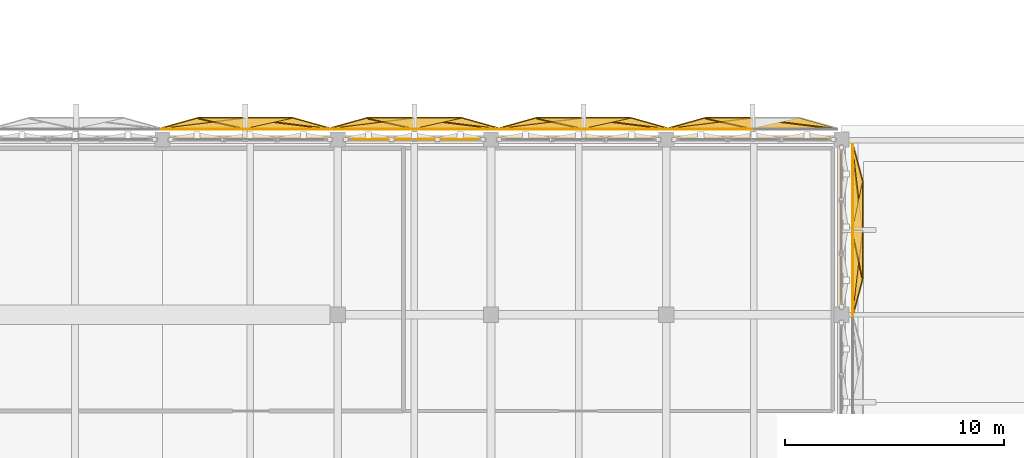
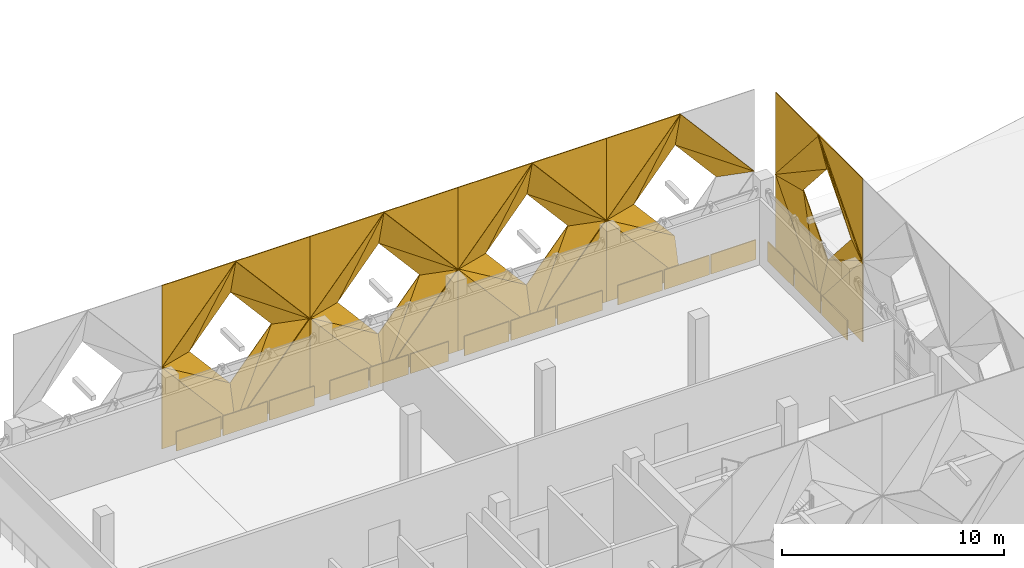
# One storey, part 33 of 37: 71 coverings.
"""IFC4 building model written with IfcOpenShell, lengths in metres."""

from ifc_helpers import new_model, si_unit, direction, frame, origin, origin_2d, place, context, subcontext, project, spatial, polyline, rectangle, outline, extrude, material, layer, layer_set, type_object, element, save


model = new_model("IFC4")

# Units and contexts
model_context = context("Model", 3, precision=1e-05, world=origin(), true_north=direction((0.0, 1.0)))
body_context = subcontext(model_context, "Body", "Model", "MODEL_VIEW")
ifc_project = project(units=[si_unit("LENGTHUNIT", "METRE"), si_unit("AREAUNIT", "SQUARE_METRE"), si_unit("VOLUMEUNIT", "CUBIC_METRE"), si_unit("PLANEANGLEUNIT", "RADIAN"), si_unit("MASSUNIT", "GRAM", prefix="KILO")], contexts=[model_context])

# Site, building, storey
site_placement = place(None, origin())
site = spatial("IfcSite", under=ifc_project, at=site_placement, CompositionType="ELEMENT")
building_placement = place(site_placement, origin())
building = spatial("IfcBuilding", under=site, at=building_placement, Name="Qorikala Patio Media Centre", CompositionType="ELEMENT")
storey_placement = place(building_placement, frame((0.0, 0.0, 14.39990234375)))
storey = spatial("IfcBuildingStorey", under=building, at=storey_placement, Name="L03", CompositionType="ELEMENT", Elevation=14.39990234375)

# Coverings
ifc_material = material(Name="Golden Bronze Anodised Aluminium Panel", Category="aluminium")
ifc_layer = layer(ifc_material, 0.044921875)
ifc_layer_set = layer_set([ifc_layer], Name="Golden Bronze Anodised Aluminium Panel")
covering_type = type_object("IfcCoveringType", Name="COV-CLAD-GOLD", PredefinedType="CLADDING", material=ifc_layer_set)
for number, where, z_axis, x_axis, name in (
    (1, (98.0, 25.4267578125, 0.0), (0.0, 0.0, 1.0), (0.0, -1.0, 0.0), "L03 Golden Diamond Fold Spandrel 073"),
    (2, (98.0, 23.0, 0.0), (0.0, 0.0, 1.0), (0.0, -1.0, 0.0), "L03 Golden Diamond Fold Spandrel 074"),
    (3, (98.0, 20.5732421875, 0.0), (0.0, 0.0, 1.0), (0.0, -1.0, 0.0), "L03 Golden Diamond Fold Spandrel 075"),
    (4, (68.5732421875, 27.0, 0.0), (0.0, 0.0, 1.0), (1.0, 0.0, 0.0), "L03 Golden Diamond Fold Spandrel 103"),
    (5, (71.0, 27.0, 0.0), (0.0, 0.0, 1.0), (1.0, 0.0, 0.0), "L03 Golden Diamond Fold Spandrel 104"),
    (6, (73.4267578125, 27.0, 0.0), (0.0, 0.0, 1.0), (1.0, 0.0, 0.0), "L03 Golden Diamond Fold Spandrel 105"),
):
    element("IfcCovering", number, at=place(storey_placement, frame(where, z_axis=z_axis, x_axis=x_axis)), inside=storey, type_object=covering_type, Name=name, PredefinedType="CLADDING", context=body_context, shape_type="SweptSolid", body=[
        extrude(rectangle(XDim=2.32666015625, YDim=0.044921875, at=origin_2d()), origin(), (0.0, 0.0, 1.0), 1.077880859375),
    ])
for number, where, z_axis, x_axis, name in (
    (7, (76.40673828125, 27.0, 0.0), (0.0, 0.0, 1.0), (1.0, 0.0, 0.0), "L03 Golden Diamond Fold Spandrel 106"),
    (8, (78.5, 27.0, 0.0), (0.0, 0.0, 1.0), (1.0, 0.0, 0.0), "L03 Golden Diamond Fold Spandrel 107"),
    (9, (80.59326171875, 27.0, 0.0), (0.0, 0.0, 1.0), (1.0, 0.0, 0.0), "L03 Golden Diamond Fold Spandrel 108"),
):
    element("IfcCovering", number, at=place(storey_placement, frame(where, z_axis=z_axis, x_axis=x_axis)), inside=storey, type_object=covering_type, Name=name, PredefinedType="CLADDING", context=body_context, shape_type="SweptSolid", body=[
        extrude(rectangle(XDim=1.993408203125, YDim=0.044921875, at=origin_2d()), origin(), (0.0, 0.0, 1.0), 1.077880859375),
    ])
for number, where, z_axis, x_axis, name in (
    (10, (83.5732421875, 27.0, 0.0), (0.0, 0.0, 1.0), (1.0, 0.0, 0.0), "L03 Golden Diamond Fold Spandrel 109"),
    (11, (86.0, 27.0, 0.0), (0.0, 0.0, 1.0), (1.0, 0.0, 0.0), "L03 Golden Diamond Fold Spandrel 110"),
    (12, (88.4267578125, 27.0, 0.0), (0.0, 0.0, 1.0), (1.0, 0.0, 0.0), "L03 Golden Diamond Fold Spandrel 111"),
    (13, (91.5732421875, 27.0, 0.0), (0.0, 0.0, 1.0), (1.0, 0.0, 0.0), "L03 Golden Diamond Fold Spandrel 112"),
    (14, (94.0, 27.0, 0.0), (0.0, 0.0, 1.0), (1.0, 0.0, 0.0), "L03 Golden Diamond Fold Spandrel 113"),
    (15, (96.4267578125, 27.0, 0.0), (0.0, 0.0, 1.0), (1.0, 0.0, 0.0), "L03 Golden Diamond Fold Spandrel 114"),
):
    element("IfcCovering", number, at=place(storey_placement, frame(where, z_axis=z_axis, x_axis=x_axis)), inside=storey, type_object=covering_type, Name=name, PredefinedType="CLADDING", context=body_context, shape_type="SweptSolid", body=[
        extrude(rectangle(XDim=2.32666015625, YDim=0.044921875, at=origin_2d()), origin(), (0.0, 0.0, 1.0), 1.077880859375),
    ])
covering_1_placement = place(storey_placement, frame((70.780029296875, 27.5, 9.0), z_axis=(-0.262462378719, 0.93830974756, 0.225140661346), x_axis=(-0.651079578851, 0.0, -0.759009474251)))
element("IfcCovering", 16, at=covering_1_placement, inside=storey, type_object=covering_type, Name="Golden Folded Diamond Facet N-2.2.TLA", PredefinedType="CLADDING", context=body_context, shape_type="SweptSolid", body=[
    extrude(outline(polyline([(0.0, 0.0), (5.928779748684755, 0.0), (4.822929985484664, -1.373924994689336), (0.0, 0.0)])), origin(), (0.0, 0.0, -1.0), 0.044921875),
])
covering_2_placement = place(storey_placement, frame((70.780029296875, 27.5, 9.0), z_axis=(-0.262476283203, 0.938304391158, 0.225146774993), x_axis=(-0.431047420192, 0.094738906674, -0.897341997851)))
element("IfcCovering", 17, at=covering_2_placement, inside=storey, type_object=covering_type, Name="Golden Folded Diamond Facet N-2.2.TLB", PredefinedType="CLADDING", context=body_context, shape_type="SweptSolid", body=[
    extrude(outline(polyline([(0.0, 0.0), (5.014810418741589, 0.0), (1.8217298620516404, -0.9095827336284614), (0.0, 0.0)])), origin(), (0.0, 0.0, -1.0), 0.044921875),
])
covering_3_placement = place(storey_placement, frame((74.639892578125, 27.5, 4.5), z_axis=(0.26248543046, 0.938301971613, 0.225146194422), x_axis=(-0.651055854923, 0.0, 0.759029824032)))
element("IfcCovering", 18, at=covering_3_placement, inside=storey, type_object=covering_type, Name="Golden Folded Diamond Facet N-2.2.TRA", PredefinedType="CLADDING", context=body_context, shape_type="SweptSolid", body=[
    extrude(outline(polyline([(0.0, 0.0), (5.928620796605397, 0.0), (4.425756569823238, -1.3738411682083829), (0.0, 0.0)])), origin(), (0.0, 0.0, -1.0), 0.044921875),
])
covering_4_placement = place(storey_placement, frame((74.639892578125, 27.5, 4.5), z_axis=(0.262495941529, 0.938294845466, 0.225163637502), x_axis=(-0.832928561936, 0.102522389723, 0.543800671493)))
element("IfcCovering", 19, at=covering_4_placement, inside=storey, type_object=covering_type, Name="Golden Folded Diamond Facet N-2.2.TRB", PredefinedType="CLADDING", context=body_context, shape_type="SweptSolid", body=[
    extrude(outline(polyline([(0.0, 0.0), (4.634086832462004, -4.440892098500626e-16), (1.463222570124503, -0.9842377866436913), (0.0, 0.0)])), origin(), (0.0, 0.0, -1.0), 0.044921875),
])
covering_5_placement = place(storey_placement, frame((70.780029296875, 27.5, 0.0), z_axis=(-0.262496439609, -0.938296625859, 0.22515563749), x_axis=(0.651055854923, 0.0, 0.759029824032)))
element("IfcCovering", 20, at=covering_5_placement, inside=storey, type_object=covering_type, Name="Golden Folded Diamond Facet N-2.2.BRA", PredefinedType="CLADDING", context=body_context, shape_type="SweptSolid", body=[
    extrude(outline(polyline([(0.0, 0.0), (5.928620796605397, 0.0), (4.822970277355765, 1.3737835490578736), (0.0, 0.0)])), origin(), (0.0, 0.0, -1.0), 0.044921875),
])
covering_6_placement = place(storey_placement, frame((70.780029296875, 27.5, 0.0), z_axis=(-0.262476283203, -0.938304391158, 0.225146774993), x_axis=(0.431047420192, 0.094738906674, 0.897341997851)))
element("IfcCovering", 21, at=covering_6_placement, inside=storey, type_object=covering_type, Name="Golden Folded Diamond Facet N-2.2.BRB", PredefinedType="CLADDING", context=body_context, shape_type="SweptSolid", body=[
    extrude(outline(polyline([(0.0, 0.0), (5.014810418741589, 0.0), (1.8217298620516404, 0.9095827336284614), (0.0, 0.0)])), origin(), (0.0, 0.0, -1.0), 0.044921875),
])
covering_7_placement = place(storey_placement, frame((66.919921875, 27.5, 4.5), z_axis=(0.262469972732, -0.93830606029, 0.225147175502), x_axis=(0.651079578851, 0.0, -0.759009474251)))
element("IfcCovering", 22, at=covering_7_placement, inside=storey, type_object=covering_type, Name="Golden Folded Diamond Facet N-2.2.BLA", PredefinedType="CLADDING", context=body_context, shape_type="SweptSolid", body=[
    extrude(outline(polyline([(0.0, 0.0), (5.928779748684755, 4.440892098500626e-16), (4.4259558140712985, 1.3738852430820574), (0.0, 0.0)])), origin(), (0.0, 0.0, -1.0), 0.044921875),
])
covering_8_placement = place(storey_placement, frame((66.919921875, 27.5, 4.5), z_axis=(0.262462722231, -0.938310975623, 0.225135142669), x_axis=(0.83294469419, 0.102517891019, -0.5437768094)))
element("IfcCovering", 23, at=covering_8_placement, inside=storey, type_object=covering_type, Name="Golden Folded Diamond Facet N-2.2.BLB", PredefinedType="CLADDING", context=body_context, shape_type="SweptSolid", body=[
    extrude(outline(polyline([(0.0, 0.0), (4.634290186131008, -4.440892098500626e-16), (1.4634511849127112, 0.9843191653012606), (0.0, 0.0)])), origin(), (0.0, 0.0, -1.0), 0.044921875),
])
covering_9_placement = place(storey_placement, frame((66.919921875, 27.5, 9.0), z_axis=(0.0, 1.0, 0.0), x_axis=(1.0, 0.0, 0.0)))
element("IfcCovering", 24, at=covering_9_placement, inside=storey, type_object=covering_type, Name="Golden Diamond Valley Spandrel N-2.2.CTL", PredefinedType="CLADDING", context=body_context, shape_type="SweptSolid", body=[
    extrude(outline(polyline([(0.0, 0.0), (3.860107421875, 0.0), (0.0, 4.5), (0.0, 0.0)])), origin(), (0.0, 0.0, -1.0), 0.044921875),
])
covering_10_placement = place(storey_placement, frame((74.639892578125, 27.5, 9.0), z_axis=(0.0, 1.0, 0.0), x_axis=(0.0, 0.0, -1.0)))
element("IfcCovering", 25, at=covering_10_placement, inside=storey, type_object=covering_type, Name="Golden Diamond Valley Spandrel N-2.2.CTR", PredefinedType="CLADDING", context=body_context, shape_type="SweptSolid", body=[
    extrude(outline(polyline([(0.0, 0.0), (4.5, 0.0), (0.0, 3.85986328125), (0.0, 0.0)])), origin(), (0.0, 0.0, -1.0), 0.044921875),
])
covering_11_placement = place(storey_placement, frame((74.639892578125, 27.5, 0.0), z_axis=(0.0, 1.0, 0.0), x_axis=(-1.0, 0.0, 0.0)))
element("IfcCovering", 26, at=covering_11_placement, inside=storey, type_object=covering_type, Name="Golden Diamond Valley Spandrel N-2.2.CBR", PredefinedType="CLADDING", context=body_context, shape_type="SweptSolid", body=[
    extrude(outline(polyline([(0.0, 0.0), (3.85986328125, 0.0), (0.0, 4.5), (0.0, 0.0)])), origin(), (0.0, 0.0, -1.0), 0.044921875),
])
covering_12_placement = place(storey_placement, frame((66.919921875, 27.5, 0.0), z_axis=(0.0, 1.0, 0.0), x_axis=(0.0, 0.0, 1.0)))
element("IfcCovering", 27, at=covering_12_placement, inside=storey, type_object=covering_type, Name="Golden Diamond Valley Spandrel N-2.2.CBL", PredefinedType="CLADDING", context=body_context, shape_type="SweptSolid", body=[
    extrude(outline(polyline([(0.0, 0.0), (4.5, 0.0), (0.0, 3.860107421875), (0.0, 0.0)])), origin(), (0.0, 0.0, -1.0), 0.044921875),
])
covering_13_placement = place(storey_placement, frame((78.5, 27.5, 9.0), z_axis=(-0.262462378719, 0.93830974756, 0.225140661346), x_axis=(-0.651079578851, 0.0, -0.759009474251)))
element("IfcCovering", 28, at=covering_13_placement, inside=storey, type_object=covering_type, Name="Golden Folded Diamond Facet N-2.3.TLA", PredefinedType="CLADDING", context=body_context, shape_type="SweptSolid", body=[
    extrude(outline(polyline([(0.0, 0.0), (5.928779748684755, 0.0), (4.822929985484664, -1.373924994689336), (0.0, 0.0)])), origin(), (0.0, 0.0, -1.0), 0.044921875),
])
covering_14_placement = place(storey_placement, frame((78.5, 27.5, 9.0), z_axis=(-0.262476283203, 0.938304391158, 0.225146774993), x_axis=(-0.431047420192, 0.094738906674, -0.897341997851)))
element("IfcCovering", 29, at=covering_14_placement, inside=storey, type_object=covering_type, Name="Golden Folded Diamond Facet N-2.3.TLB", PredefinedType="CLADDING", context=body_context, shape_type="SweptSolid", body=[
    extrude(outline(polyline([(0.0, 0.0), (5.014810418741589, 0.0), (1.8217298620516404, -0.9095827336284614), (0.0, 0.0)])), origin(), (0.0, 0.0, -1.0), 0.044921875),
])
covering_15_placement = place(storey_placement, frame((82.360107421875, 27.5, 4.5), z_axis=(0.262469972732, 0.93830606029, 0.225147175502), x_axis=(-0.651079578851, 0.0, 0.759009474251)))
element("IfcCovering", 30, at=covering_15_placement, inside=storey, type_object=covering_type, Name="Golden Folded Diamond Facet N-2.3.TRA", PredefinedType="CLADDING", context=body_context, shape_type="SweptSolid", body=[
    extrude(outline(polyline([(0.0, 0.0), (5.928779748684755, -4.440892098500626e-16), (4.4259558140712985, -1.3738852430820574), (0.0, 0.0)])), origin(), (0.0, 0.0, -1.0), 0.044921875),
])
covering_16_placement = place(storey_placement, frame((82.360107421875, 27.5, 4.5), z_axis=(0.262462722231, 0.938310975623, 0.225135142669), x_axis=(-0.83294469419, 0.102517891019, 0.5437768094)))
element("IfcCovering", 31, at=covering_16_placement, inside=storey, type_object=covering_type, Name="Golden Folded Diamond Facet N-2.3.TRB", PredefinedType="CLADDING", context=body_context, shape_type="SweptSolid", body=[
    extrude(outline(polyline([(0.0, 0.0), (4.634290186131008, 4.440892098500626e-16), (1.4634511849127112, -0.9843191653012606), (0.0, 0.0)])), origin(), (0.0, 0.0, -1.0), 0.044921875),
])
covering_17_placement = place(storey_placement, frame((78.5, 27.5, 0.0), z_axis=(-0.262462378719, -0.93830974756, 0.225140661346), x_axis=(0.651079578851, 0.0, 0.759009474251)))
element("IfcCovering", 32, at=covering_17_placement, inside=storey, type_object=covering_type, Name="Golden Folded Diamond Facet N-2.3.BRA", PredefinedType="CLADDING", context=body_context, shape_type="SweptSolid", body=[
    extrude(outline(polyline([(0.0, 0.0), (5.928779748684755, 0.0), (4.822929985484664, 1.373924994689336), (0.0, 0.0)])), origin(), (0.0, 0.0, -1.0), 0.044921875),
])
covering_18_placement = place(storey_placement, frame((78.5, 27.5, 0.0), z_axis=(-0.262476283203, -0.938304391158, 0.225146774993), x_axis=(0.431047420192, 0.094738906674, 0.897341997851)))
element("IfcCovering", 33, at=covering_18_placement, inside=storey, type_object=covering_type, Name="Golden Folded Diamond Facet N-2.3.BRB", PredefinedType="CLADDING", context=body_context, shape_type="SweptSolid", body=[
    extrude(outline(polyline([(0.0, 0.0), (5.014810418741589, 0.0), (1.8217298620516404, 0.9095827336284614), (0.0, 0.0)])), origin(), (0.0, 0.0, -1.0), 0.044921875),
])
covering_19_placement = place(storey_placement, frame((74.639892578125, 27.5, 4.5), z_axis=(0.262469972732, -0.93830606029, 0.225147175502), x_axis=(0.651079578851, 0.0, -0.759009474251)))
element("IfcCovering", 34, at=covering_19_placement, inside=storey, type_object=covering_type, Name="Golden Folded Diamond Facet N-2.3.BLA", PredefinedType="CLADDING", context=body_context, shape_type="SweptSolid", body=[
    extrude(outline(polyline([(0.0, 0.0), (5.928779748684755, 4.440892098500626e-16), (4.4259558140712985, 1.3738852430820574), (0.0, 0.0)])), origin(), (0.0, 0.0, -1.0), 0.044921875),
])
covering_20_placement = place(storey_placement, frame((74.639892578125, 27.5, 4.5), z_axis=(0.262462722231, -0.938310975623, 0.225135142669), x_axis=(0.83294469419, 0.102517891019, -0.5437768094)))
element("IfcCovering", 35, at=covering_20_placement, inside=storey, type_object=covering_type, Name="Golden Folded Diamond Facet N-2.3.BLB", PredefinedType="CLADDING", context=body_context, shape_type="SweptSolid", body=[
    extrude(outline(polyline([(0.0, 0.0), (4.634290186131008, -4.440892098500626e-16), (1.4634511849127112, 0.9843191653012606), (0.0, 0.0)])), origin(), (0.0, 0.0, -1.0), 0.044921875),
])
covering_21_placement = place(storey_placement, frame((74.639892578125, 27.5, 9.0), z_axis=(0.0, 1.0, 0.0), x_axis=(1.0, 0.0, 0.0)))
element("IfcCovering", 36, at=covering_21_placement, inside=storey, type_object=covering_type, Name="Golden Diamond Valley Spandrel N-2.3.CTL", PredefinedType="CLADDING", context=body_context, shape_type="SweptSolid", body=[
    extrude(outline(polyline([(0.0, 0.0), (3.860107421875, 0.0), (0.0, 4.5), (0.0, 0.0)])), origin(), (0.0, 0.0, -1.0), 0.044921875),
])
covering_22_placement = place(storey_placement, frame((82.360107421875, 27.5, 9.0), z_axis=(0.0, 1.0, 0.0), x_axis=(0.0, 0.0, -1.0)))
element("IfcCovering", 37, at=covering_22_placement, inside=storey, type_object=covering_type, Name="Golden Diamond Valley Spandrel N-2.3.CTR", PredefinedType="CLADDING", context=body_context, shape_type="SweptSolid", body=[
    extrude(outline(polyline([(0.0, 0.0), (4.5, 0.0), (0.0, 3.860107421875), (0.0, 0.0)])), origin(), (0.0, 0.0, -1.0), 0.044921875),
])
covering_23_placement = place(storey_placement, frame((82.360107421875, 27.5, 0.0), z_axis=(0.0, 1.0, 0.0), x_axis=(-1.0, 0.0, 0.0)))
element("IfcCovering", 38, at=covering_23_placement, inside=storey, type_object=covering_type, Name="Golden Diamond Valley Spandrel N-2.3.CBR", PredefinedType="CLADDING", context=body_context, shape_type="SweptSolid", body=[
    extrude(outline(polyline([(0.0, 0.0), (3.860107421875, 0.0), (0.0, 4.5), (0.0, 0.0)])), origin(), (0.0, 0.0, -1.0), 0.044921875),
])
covering_24_placement = place(storey_placement, frame((74.639892578125, 27.5, 0.0), z_axis=(0.0, 1.0, 0.0), x_axis=(0.0, 0.0, 1.0)))
element("IfcCovering", 39, at=covering_24_placement, inside=storey, type_object=covering_type, Name="Golden Diamond Valley Spandrel N-2.3.CBL", PredefinedType="CLADDING", context=body_context, shape_type="SweptSolid", body=[
    extrude(outline(polyline([(0.0, 0.0), (4.5, 0.0), (0.0, 3.860107421875), (0.0, 0.0)])), origin(), (0.0, 0.0, -1.0), 0.044921875),
])
covering_25_placement = place(storey_placement, frame((86.219970703125, 27.5, 9.0), z_axis=(-0.262496439609, 0.938296625859, 0.22515563749), x_axis=(-0.651055854923, 0.0, -0.759029824032)))
element("IfcCovering", 40, at=covering_25_placement, inside=storey, type_object=covering_type, Name="Golden Folded Diamond Facet N-2.4.TLA", PredefinedType="CLADDING", context=body_context, shape_type="SweptSolid", body=[
    extrude(outline(polyline([(0.0, 0.0), (5.928620796605397, 0.0), (4.822970277355765, -1.3737835490578736), (0.0, 0.0)])), origin(), (0.0, 0.0, -1.0), 0.044921875),
])
covering_26_placement = place(storey_placement, frame((86.219970703125, 27.5, 9.0), z_axis=(-0.262476283203, 0.938304391158, 0.225146774993), x_axis=(-0.431047420192, 0.094738906674, -0.897341997851)))
element("IfcCovering", 41, at=covering_26_placement, inside=storey, type_object=covering_type, Name="Golden Folded Diamond Facet N-2.4.TLB", PredefinedType="CLADDING", context=body_context, shape_type="SweptSolid", body=[
    extrude(outline(polyline([(0.0, 0.0), (5.014810418741589, 0.0), (1.8217298620516404, -0.9095827336284614), (0.0, 0.0)])), origin(), (0.0, 0.0, -1.0), 0.044921875),
])
covering_27_placement = place(storey_placement, frame((90.080078125, 27.5, 4.5), z_axis=(0.262469972732, 0.93830606029, 0.225147175502), x_axis=(-0.651079578851, 0.0, 0.759009474251)))
element("IfcCovering", 42, at=covering_27_placement, inside=storey, type_object=covering_type, Name="Golden Folded Diamond Facet N-2.4.TRA", PredefinedType="CLADDING", context=body_context, shape_type="SweptSolid", body=[
    extrude(outline(polyline([(0.0, 0.0), (5.928779748684755, -4.440892098500626e-16), (4.4259558140712985, -1.3738852430820574), (0.0, 0.0)])), origin(), (0.0, 0.0, -1.0), 0.044921875),
])
covering_28_placement = place(storey_placement, frame((90.080078125, 27.5, 4.5), z_axis=(0.262462722231, 0.938310975623, 0.225135142669), x_axis=(-0.83294469419, 0.102517891019, 0.5437768094)))
element("IfcCovering", 43, at=covering_28_placement, inside=storey, type_object=covering_type, Name="Golden Folded Diamond Facet N-2.4.TRB", PredefinedType="CLADDING", context=body_context, shape_type="SweptSolid", body=[
    extrude(outline(polyline([(0.0, 0.0), (4.634290186131008, 4.440892098500626e-16), (1.4634511849127112, -0.9843191653012606), (0.0, 0.0)])), origin(), (0.0, 0.0, -1.0), 0.044921875),
])
covering_29_placement = place(storey_placement, frame((86.219970703125, 27.5, 0.0), z_axis=(-0.262462378719, -0.93830974756, 0.225140661346), x_axis=(0.651079578851, 0.0, 0.759009474251)))
element("IfcCovering", 44, at=covering_29_placement, inside=storey, type_object=covering_type, Name="Golden Folded Diamond Facet N-2.4.BRA", PredefinedType="CLADDING", context=body_context, shape_type="SweptSolid", body=[
    extrude(outline(polyline([(0.0, 0.0), (5.928779748684755, 0.0), (4.822929985484664, 1.373924994689336), (0.0, 0.0)])), origin(), (0.0, 0.0, -1.0), 0.044921875),
])
covering_30_placement = place(storey_placement, frame((86.219970703125, 27.5, 0.0), z_axis=(-0.262476283203, -0.938304391158, 0.225146774993), x_axis=(0.431047420192, 0.094738906674, 0.897341997851)))
element("IfcCovering", 45, at=covering_30_placement, inside=storey, type_object=covering_type, Name="Golden Folded Diamond Facet N-2.4.BRB", PredefinedType="CLADDING", context=body_context, shape_type="SweptSolid", body=[
    extrude(outline(polyline([(0.0, 0.0), (5.014810418741589, 0.0), (1.8217298620516404, 0.9095827336284614), (0.0, 0.0)])), origin(), (0.0, 0.0, -1.0), 0.044921875),
])
covering_31_placement = place(storey_placement, frame((82.360107421875, 27.5, 4.5), z_axis=(0.26248543046, -0.938301971613, 0.225146194422), x_axis=(0.651055854923, 0.0, -0.759029824032)))
element("IfcCovering", 46, at=covering_31_placement, inside=storey, type_object=covering_type, Name="Golden Folded Diamond Facet N-2.4.BLA", PredefinedType="CLADDING", context=body_context, shape_type="SweptSolid", body=[
    extrude(outline(polyline([(0.0, 0.0), (5.928620796605397, 0.0), (4.425756569823238, 1.3738411682083829), (0.0, 0.0)])), origin(), (0.0, 0.0, -1.0), 0.044921875),
])
covering_32_placement = place(storey_placement, frame((82.360107421875, 27.5, 4.5), z_axis=(0.262495941529, -0.938294845466, 0.225163637502), x_axis=(0.832928561936, 0.102522389723, -0.543800671493)))
element("IfcCovering", 47, at=covering_32_placement, inside=storey, type_object=covering_type, Name="Golden Folded Diamond Facet N-2.4.BLB", PredefinedType="CLADDING", context=body_context, shape_type="SweptSolid", body=[
    extrude(outline(polyline([(0.0, 0.0), (4.634086832462004, 4.440892098500626e-16), (1.463222570124503, 0.9842377866436913), (0.0, 0.0)])), origin(), (0.0, 0.0, -1.0), 0.044921875),
])
covering_33_placement = place(storey_placement, frame((82.360107421875, 27.5, 9.0), z_axis=(0.0, 1.0, 0.0), x_axis=(1.0, 0.0, 0.0)))
element("IfcCovering", 48, at=covering_33_placement, inside=storey, type_object=covering_type, Name="Golden Diamond Valley Spandrel N-2.4.CTL", PredefinedType="CLADDING", context=body_context, shape_type="SweptSolid", body=[
    extrude(outline(polyline([(0.0, 0.0), (3.85986328125, 0.0), (0.0, 4.5), (0.0, 0.0)])), origin(), (0.0, 0.0, -1.0), 0.044921875),
])
covering_34_placement = place(storey_placement, frame((90.080078125, 27.5, 9.0), z_axis=(0.0, 1.0, 0.0), x_axis=(0.0, 0.0, -1.0)))
element("IfcCovering", 49, at=covering_34_placement, inside=storey, type_object=covering_type, Name="Golden Diamond Valley Spandrel N-2.4.CTR", PredefinedType="CLADDING", context=body_context, shape_type="SweptSolid", body=[
    extrude(outline(polyline([(0.0, 0.0), (4.5, 0.0), (0.0, 3.860107421875), (0.0, 0.0)])), origin(), (0.0, 0.0, -1.0), 0.044921875),
])
covering_35_placement = place(storey_placement, frame((90.080078125, 27.5, 0.0), z_axis=(0.0, 1.0, 0.0), x_axis=(-1.0, 0.0, 0.0)))
element("IfcCovering", 50, at=covering_35_placement, inside=storey, type_object=covering_type, Name="Golden Diamond Valley Spandrel N-2.4.CBR", PredefinedType="CLADDING", context=body_context, shape_type="SweptSolid", body=[
    extrude(outline(polyline([(0.0, 0.0), (3.860107421875, 0.0), (0.0, 4.5), (0.0, 0.0)])), origin(), (0.0, 0.0, -1.0), 0.044921875),
])
covering_36_placement = place(storey_placement, frame((82.360107421875, 27.5, 0.0), z_axis=(0.0, 1.0, 0.0), x_axis=(0.0, 0.0, 1.0)))
element("IfcCovering", 51, at=covering_36_placement, inside=storey, type_object=covering_type, Name="Golden Diamond Valley Spandrel N-2.4.CBL", PredefinedType="CLADDING", context=body_context, shape_type="SweptSolid", body=[
    extrude(outline(polyline([(0.0, 0.0), (4.5, 0.0), (0.0, 3.85986328125), (0.0, 0.0)])), origin(), (0.0, 0.0, -1.0), 0.044921875),
])
covering_37_placement = place(storey_placement, frame((93.93994140625, 27.5, 9.0), z_axis=(-0.262496439609, 0.938296625859, 0.22515563749), x_axis=(-0.651055854923, 0.0, -0.759029824032)))
element("IfcCovering", 52, at=covering_37_placement, inside=storey, type_object=covering_type, Name="Golden Folded Diamond Facet N-2.5.TLA", PredefinedType="CLADDING", context=body_context, shape_type="SweptSolid", body=[
    extrude(outline(polyline([(0.0, 0.0), (5.928620796605397, 0.0), (4.822970277355765, -1.3737835490578736), (0.0, 0.0)])), origin(), (0.0, 0.0, -1.0), 0.044921875),
])
covering_38_placement = place(storey_placement, frame((93.93994140625, 27.5, 9.0), z_axis=(-0.262476283203, 0.938304391158, 0.225146774993), x_axis=(-0.431047420192, 0.094738906674, -0.897341997851)))
element("IfcCovering", 53, at=covering_38_placement, inside=storey, type_object=covering_type, Name="Golden Folded Diamond Facet N-2.5.TLB", PredefinedType="CLADDING", context=body_context, shape_type="SweptSolid", body=[
    extrude(outline(polyline([(0.0, 0.0), (5.014810418741589, 0.0), (1.8217298620516404, -0.9095827336284614), (0.0, 0.0)])), origin(), (0.0, 0.0, -1.0), 0.044921875),
])
covering_39_placement = place(storey_placement, frame((97.800048828125, 27.5, 4.5), z_axis=(0.262469972732, 0.93830606029, 0.225147175502), x_axis=(-0.651079578851, 0.0, 0.759009474251)))
element("IfcCovering", 54, at=covering_39_placement, inside=storey, type_object=covering_type, Name="Golden Folded Diamond Facet N-2.5.TRA", PredefinedType="CLADDING", context=body_context, shape_type="SweptSolid", body=[
    extrude(outline(polyline([(0.0, 0.0), (5.928779748684755, -4.440892098500626e-16), (4.4259558140712985, -1.3738852430820574), (0.0, 0.0)])), origin(), (0.0, 0.0, -1.0), 0.044921875),
])
covering_40_placement = place(storey_placement, frame((97.800048828125, 27.5, 4.5), z_axis=(0.262462722231, 0.938310975623, 0.225135142669), x_axis=(-0.83294469419, 0.102517891019, 0.5437768094)))
element("IfcCovering", 55, at=covering_40_placement, inside=storey, type_object=covering_type, Name="Golden Folded Diamond Facet N-2.5.TRB", PredefinedType="CLADDING", context=body_context, shape_type="SweptSolid", body=[
    extrude(outline(polyline([(0.0, 0.0), (4.634290186131008, 4.440892098500626e-16), (1.4634511849127112, -0.9843191653012606), (0.0, 0.0)])), origin(), (0.0, 0.0, -1.0), 0.044921875),
])
covering_41_placement = place(storey_placement, frame((90.080078125, 27.5, 4.5), z_axis=(0.26248543046, -0.938301971613, 0.225146194422), x_axis=(0.651055854923, 0.0, -0.759029824032)))
element("IfcCovering", 56, at=covering_41_placement, inside=storey, type_object=covering_type, Name="Golden Folded Diamond Facet N-2.5.BLA", PredefinedType="CLADDING", context=body_context, shape_type="SweptSolid", body=[
    extrude(outline(polyline([(0.0, 0.0), (5.928620796605397, 0.0), (4.425756569823238, 1.3738411682083829), (0.0, 0.0)])), origin(), (0.0, 0.0, -1.0), 0.044921875),
])
covering_42_placement = place(storey_placement, frame((90.080078125, 27.5, 4.5), z_axis=(0.262495941529, -0.938294845466, 0.225163637502), x_axis=(0.832928561936, 0.102522389723, -0.543800671493)))
element("IfcCovering", 57, at=covering_42_placement, inside=storey, type_object=covering_type, Name="Golden Folded Diamond Facet N-2.5.BLB", PredefinedType="CLADDING", context=body_context, shape_type="SweptSolid", body=[
    extrude(outline(polyline([(0.0, 0.0), (4.634086832462004, 4.440892098500626e-16), (1.463222570124503, 0.9842377866436913), (0.0, 0.0)])), origin(), (0.0, 0.0, -1.0), 0.044921875),
])
covering_43_placement = place(storey_placement, frame((90.080078125, 27.5, 9.0), z_axis=(0.0, 1.0, 0.0), x_axis=(1.0, 0.0, 0.0)))
element("IfcCovering", 58, at=covering_43_placement, inside=storey, type_object=covering_type, Name="Golden Diamond Valley Spandrel N-2.5.CTL", PredefinedType="CLADDING", context=body_context, shape_type="SweptSolid", body=[
    extrude(outline(polyline([(0.0, 0.0), (3.85986328125, 0.0), (0.0, 4.5), (0.0, 0.0)])), origin(), (0.0, 0.0, -1.0), 0.044921875),
])
covering_44_placement = place(storey_placement, frame((90.080078125, 27.5, 0.0), z_axis=(0.0, 1.0, 0.0), x_axis=(0.0, 0.0, 1.0)))
element("IfcCovering", 59, at=covering_44_placement, inside=storey, type_object=covering_type, Name="Golden Diamond Valley Spandrel N-2.5.CBL", PredefinedType="CLADDING", context=body_context, shape_type="SweptSolid", body=[
    extrude(outline(polyline([(0.0, 0.0), (4.5, 0.0), (0.0, 3.85986328125), (0.0, 0.0)])), origin(), (0.0, 0.0, -1.0), 0.044921875),
])
covering_45_placement = place(storey_placement, frame((98.5, 22.86669921875, 9.0), z_axis=(0.942535422907, -0.251555511375, 0.219879060534), x_axis=(0.0, -0.658111214955, -0.75292073205)))
element("IfcCovering", 60, at=covering_45_placement, inside=storey, type_object=covering_type, Name="Golden Folded Diamond East Facet 3.TLA", PredefinedType="CLADDING", context=body_context, shape_type="SweptSolid", body=[
    extrude(outline(polyline([(0.0, 0.0), (5.976724784492797, 0.0), (4.837723221305071, 1.3825364913689306), (0.0, 0.0)])), origin(), (0.0, 0.0, -1.0), 0.044921875),
])
covering_46_placement = place(storey_placement, frame((98.5, 22.86669921875, 9.0), z_axis=(0.942530490154, -0.251568765173, 0.219885041599), x_axis=(0.09180629242, -0.437778208357, -0.894383499937)))
element("IfcCovering", 61, at=covering_46_placement, inside=storey, type_object=covering_type, Name="Golden Folded Diamond East Facet 3.TLB", PredefinedType="CLADDING", context=body_context, shape_type="SweptSolid", body=[
    extrude(outline(polyline([(0.0, 0.0), (5.031398723607683, 0.0), (1.8132684789426818, 0.9196437794274569), (0.0, 0.0)])), origin(), (0.0, 0.0, -1.0), 0.044921875),
])
covering_47_placement = place(storey_placement, frame((98.5, 26.800048828125, 4.5), z_axis=(0.942532010278, 0.251562759814, 0.219885396233), x_axis=(0.0, -0.658111214955, 0.75292073205)))
element("IfcCovering", 62, at=covering_47_placement, inside=storey, type_object=covering_type, Name="Golden Folded Diamond East Facet 3.TRA", PredefinedType="CLADDING", context=body_context, shape_type="SweptSolid", body=[
    extrude(outline(polyline([(0.0, 0.0), (5.976724784492797, 4.440892098500626e-16), (4.4859564405174055, 1.3824966554634395), (0.0, 0.0)])), origin(), (0.0, 0.0, -1.0), 0.044921875),
])
covering_48_placement = place(storey_placement, frame((98.5, 26.800048828125, 4.5), z_axis=(0.942536584183, 0.251555821311, 0.219873727947), x_axis=(0.098401937505, -0.837924743732, 0.536841859897)))
element("IfcCovering", 63, at=covering_48_placement, inside=storey, type_object=covering_type, Name="Golden Folded Diamond East Facet 3.TRB", PredefinedType="CLADDING", context=body_context, shape_type="SweptSolid", body=[
    extrude(outline(polyline([(0.0, 0.0), (4.694156174285981, 4.440892098500626e-16), (1.4956603940607722, 0.9857645238842659), (0.0, 0.0)])), origin(), (0.0, 0.0, -1.0), 0.044921875),
])
covering_49_placement = place(storey_placement, frame((98.5, 22.86669921875, 0.0), z_axis=(-0.942535422907, -0.251555511375, 0.219879060534), x_axis=(0.0, 0.658111214955, 0.75292073205)))
element("IfcCovering", 64, at=covering_49_placement, inside=storey, type_object=covering_type, Name="Golden Folded Diamond East Facet 3.BRA", PredefinedType="CLADDING", context=body_context, shape_type="SweptSolid", body=[
    extrude(outline(polyline([(0.0, 0.0), (5.976724784492797, 0.0), (4.837723221305071, -1.3825364913689306), (0.0, 0.0)])), origin(), (0.0, 0.0, -1.0), 0.044921875),
])
covering_50_placement = place(storey_placement, frame((98.5, 22.86669921875, 0.0), z_axis=(-0.942530490154, -0.251568765173, 0.219885041599), x_axis=(0.09180629242, 0.437778208357, 0.894383499937)))
element("IfcCovering", 65, at=covering_50_placement, inside=storey, type_object=covering_type, Name="Golden Folded Diamond East Facet 3.BRB", PredefinedType="CLADDING", context=body_context, shape_type="SweptSolid", body=[
    extrude(outline(polyline([(0.0, 0.0), (5.031398723607683, 0.0), (1.8132684789426818, -0.9196437794274569), (0.0, 0.0)])), origin(), (0.0, 0.0, -1.0), 0.044921875),
])
covering_51_placement = place(storey_placement, frame((98.5, 18.933349609375, 4.5), z_axis=(-0.942532010278, 0.251562759814, 0.219885396233), x_axis=(0.0, 0.658111214955, -0.75292073205)))
element("IfcCovering", 66, at=covering_51_placement, inside=storey, type_object=covering_type, Name="Golden Folded Diamond East Facet 3.BLA", PredefinedType="CLADDING", context=body_context, shape_type="SweptSolid", body=[
    extrude(outline(polyline([(0.0, 0.0), (5.976724784492797, -4.440892098500626e-16), (4.4859564405174055, -1.3824966554634395), (0.0, 0.0)])), origin(), (0.0, 0.0, -1.0), 0.044921875),
])
covering_52_placement = place(storey_placement, frame((98.5, 18.933349609375, 4.5), z_axis=(-0.942536584183, 0.251555821311, 0.219873727947), x_axis=(0.098401937505, 0.837924743732, -0.536841859897)))
element("IfcCovering", 67, at=covering_52_placement, inside=storey, type_object=covering_type, Name="Golden Folded Diamond East Facet 3.BLB", PredefinedType="CLADDING", context=body_context, shape_type="SweptSolid", body=[
    extrude(outline(polyline([(0.0, 0.0), (4.694156174285981, -4.440892098500626e-16), (1.4956603940607722, -0.9857645238842659), (0.0, 0.0)])), origin(), (0.0, 0.0, -1.0), 0.044921875),
])
covering_53_placement = place(storey_placement, frame((98.5, 18.933349609375, 9.0), z_axis=(-1.0, 0.0, 0.0), x_axis=(0.0, 1.0, 0.0)))
element("IfcCovering", 68, at=covering_53_placement, inside=storey, type_object=covering_type, Name="Golden Diamond East Valley Spandrel 3.CTL", PredefinedType="CLADDING", context=body_context, shape_type="SweptSolid", body=[
    extrude(outline(polyline([(0.0, 0.0), (3.933349609375, 0.0), (0.0, 4.5), (0.0, 0.0)])), origin(), (0.0, 0.0, -1.0), 0.044921875),
])
covering_54_placement = place(storey_placement, frame((98.5, 26.800048828125, 9.0), z_axis=(-1.0, 0.0, 0.0), x_axis=(0.0, 0.0, -1.0)))
element("IfcCovering", 69, at=covering_54_placement, inside=storey, type_object=covering_type, Name="Golden Diamond East Valley Spandrel 3.CTR", PredefinedType="CLADDING", context=body_context, shape_type="SweptSolid", body=[
    extrude(outline(polyline([(0.0, 0.0), (4.5, 0.0), (0.0, 3.933349609375), (0.0, 0.0)])), origin(), (0.0, 0.0, -1.0), 0.044921875),
])
covering_55_placement = place(storey_placement, frame((98.5, 26.800048828125, 0.0), z_axis=(-1.0, 0.0, 0.0), x_axis=(0.0, -1.0, 0.0)))
element("IfcCovering", 70, at=covering_55_placement, inside=storey, type_object=covering_type, Name="Golden Diamond East Valley Spandrel 3.CBR", PredefinedType="CLADDING", context=body_context, shape_type="SweptSolid", body=[
    extrude(outline(polyline([(0.0, 0.0), (3.933349609375, 0.0), (0.0, 4.5), (0.0, 0.0)])), origin(), (0.0, 0.0, -1.0), 0.044921875),
])
covering_56_placement = place(storey_placement, frame((98.5, 18.933349609375, 0.0), z_axis=(-1.0, 0.0, 0.0), x_axis=(0.0, 0.0, 1.0)))
element("IfcCovering", 71, at=covering_56_placement, inside=storey, type_object=covering_type, Name="Golden Diamond East Valley Spandrel 3.CBL", PredefinedType="CLADDING", context=body_context, shape_type="SweptSolid", body=[
    extrude(outline(polyline([(0.0, 0.0), (4.5, 0.0), (0.0, 3.933349609375), (0.0, 0.0)])), origin(), (0.0, 0.0, -1.0), 0.044921875),
])

save(model, "model.ifc")
